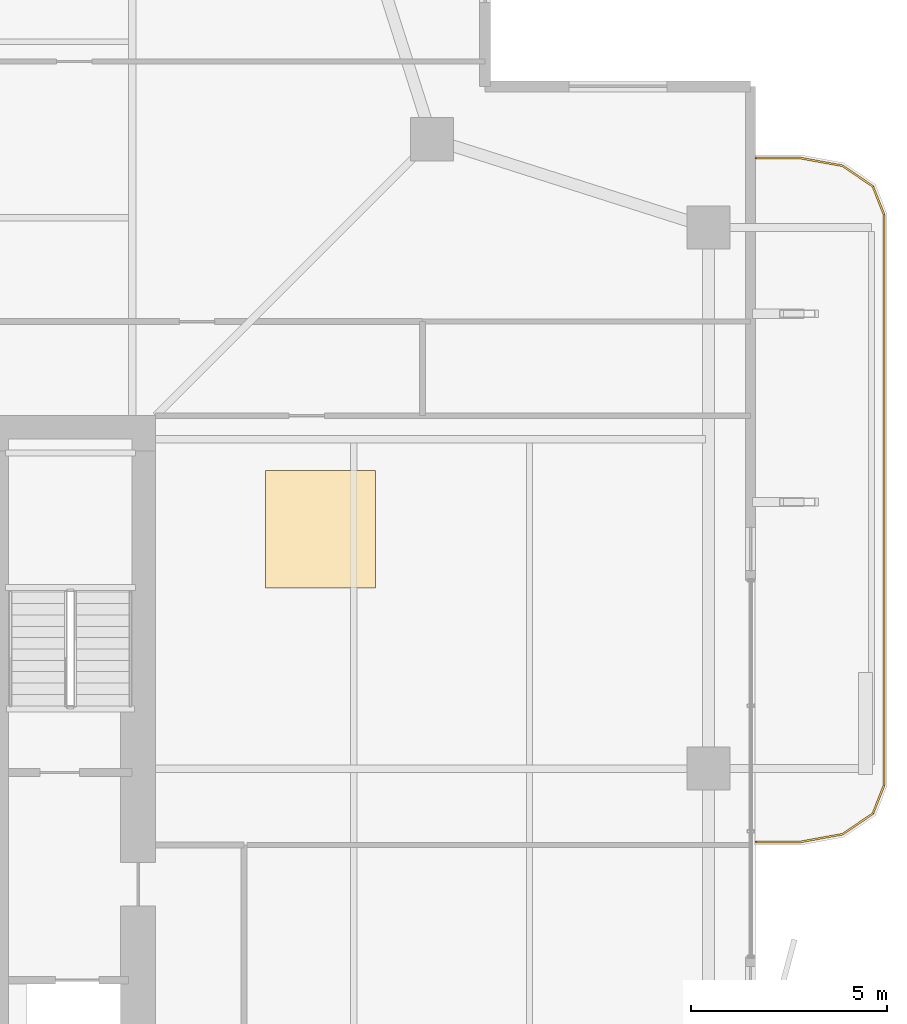
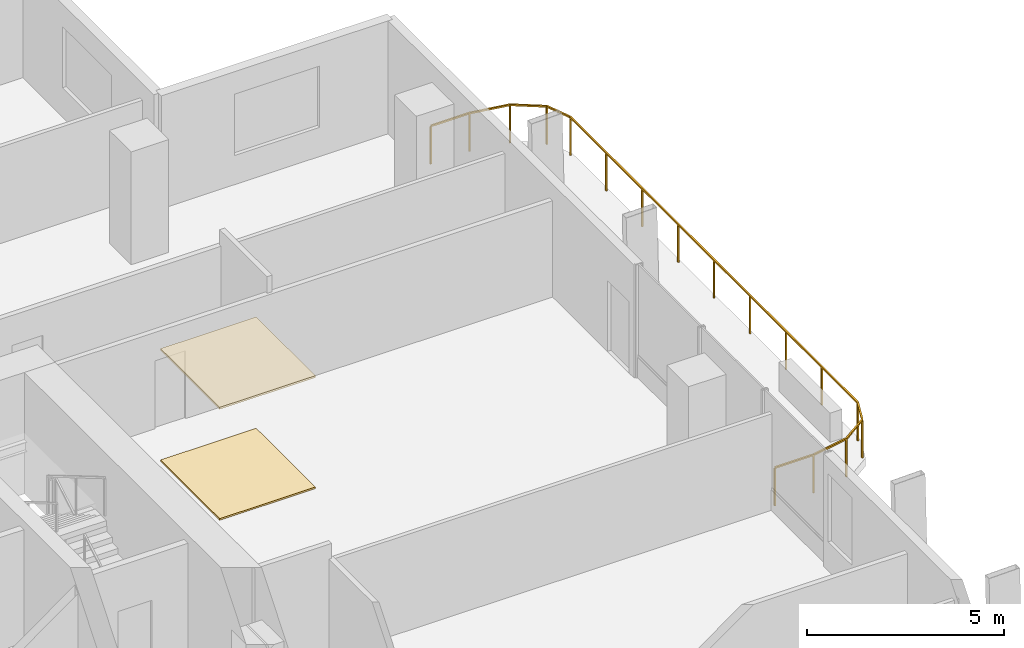
# One storey, part 25 of 25: 2 coverings, 1 railing.
"""IFC4 building model written with IfcOpenShell, lengths in metres."""

from ifc_helpers import new_model, si_unit, direction, frame, origin, origin_2d, place, context, subcontext, project, spatial, polyline, rectangle, outline, extrude, material, layer, layer_set, type_object, element, save


model = new_model("IFC4")

# Units and contexts
model_context = context("Model", 3, precision=1e-05, world=origin(), true_north=direction((0.0, 1.0)))
body_context = subcontext(model_context, "Body", "Model", "MODEL_VIEW")
ifc_project = project(units=[si_unit("LENGTHUNIT", "METRE"), si_unit("AREAUNIT", "SQUARE_METRE"), si_unit("VOLUMEUNIT", "CUBIC_METRE"), si_unit("PLANEANGLEUNIT", "RADIAN"), si_unit("MASSUNIT", "GRAM", prefix="KILO")], contexts=[model_context])

# Site, building, storey
site_placement = place(None, origin())
site = spatial("IfcSite", under=ifc_project, at=site_placement, CompositionType="ELEMENT")
building_placement = place(site_placement, origin())
building = spatial("IfcBuilding", under=site, at=building_placement, Name="Belovzor Exchange Tower", CompositionType="ELEMENT")
storey_placement = place(building_placement, frame((0.0, 0.0, 164.550048828125)))
storey = spatial("IfcBuildingStorey", under=building, at=storey_placement, Name="L40", CompositionType="ELEMENT", Elevation=164.550048828125)

# Railing
ifc_material_1 = material(Name="Stainless Steel and Laminated Safety Glass", Category="steel")
railing_type = type_object("IfcRailingType", Name="Laminated Glass & Stainless Steel Balcony Balustrade 1200", PredefinedType="BALUSTRADE", material=ifc_material_1)
railing_placement = place(storey_placement, frame((53.110107421875, 26.929931640625, 0.0)))
element("IfcRailing", 1, at=railing_placement, inside=storey, type_object=railing_type, Name="GR-1 Balcony Balustrade L40 East", PredefinedType="BALUSTRADE", context=body_context, shape_type="SweptSolid", body=[
    extrude(rectangle(XDim=0.048095703125, YDim=0.048095703125, at=origin_2d()), frame((0.0, 0.0, 1.17578125), z_axis=(1.0, 0.0, 0.0), x_axis=(0.0, 1.0, 0.0)), (0.0, 0.0, 1.0), 1.1328125),
    extrude(rectangle(XDim=0.048095703125, YDim=0.048095703125, at=origin_2d()), frame((1.1328125, 0.0, 1.17578125), z_axis=(0.983651385113, 0.180083182347, 0.0), x_axis=(-0.180083182347, 0.983651385113, 0.0)), (0.0, 0.0, 1.0), 1.093994140625),
    extrude(rectangle(XDim=0.048095703125, YDim=0.048095703125, at=origin_2d()), frame((2.208984375, 0.197021484375, 1.17578125), z_axis=(0.826493025367, 0.56294695933, 0.0), x_axis=(-0.56294695933, 0.826493025367, 0.0)), (0.0, 0.0, 1.0), 0.932861328125),
    extrude(rectangle(XDim=0.048095703125, YDim=0.048095703125, at=origin_2d()), frame((2.97998046875, 0.72216796875, 1.17578125), z_axis=(0.365612923861, 0.930766990125, 0.0), x_axis=(-0.930766990125, 0.365612923861, 0.0)), (0.0, 0.0, 1.0), 0.765869140625),
    extrude(rectangle(XDim=0.048095703125, YDim=0.048095703125, at=origin_2d()), frame((3.260009765625, 1.43505859375, 1.17578125), z_axis=(0.0, 1.0, 0.0), x_axis=(-1.0, 0.0, 0.0)), (0.0, 0.0, 1.0), 14.570068359375),
    extrude(rectangle(XDim=0.048095703125, YDim=0.048095703125, at=origin_2d()), frame((3.260009765625, 16.005126953125, 1.17578125), z_axis=(-0.365612923861, 0.930766990125, 0.0), x_axis=(-0.930766990125, -0.365612923861, 0.0)), (0.0, 0.0, 1.0), 0.765869140625),
    extrude(rectangle(XDim=0.048095703125, YDim=0.048095703125, at=origin_2d()), frame((2.97998046875, 16.718017578125, 1.17578125), z_axis=(-0.826493025367, 0.56294695933, 0.0), x_axis=(-0.56294695933, -0.826493025367, 0.0)), (0.0, 0.0, 1.0), 0.932861328125),
    extrude(rectangle(XDim=0.048095703125, YDim=0.048095703125, at=origin_2d()), frame((2.208984375, 17.2431640625, 1.17578125), z_axis=(-0.983651385113, 0.180083182347, 0.0), x_axis=(-0.180083182347, -0.983651385113, 0.0)), (0.0, 0.0, 1.0), 1.093994140625),
    extrude(rectangle(XDim=0.048095703125, YDim=0.048095703125, at=origin_2d()), frame((1.1328125, 17.440185546875, 1.17578125), z_axis=(-1.0, 0.0, 0.0), x_axis=(0.0, -1.0, 0.0)), (0.0, 0.0, 1.0), 1.1328125),
    extrude(rectangle(XDim=0.0419921875, YDim=0.0419921875, at=origin_2d()), origin(), (0.0, 0.0, 1.0), 1.15185546875),
    extrude(rectangle(XDim=0.0419921875, YDim=0.0419921875, at=origin_2d()), frame((1.1328125, 0.0, 0.0)), (0.0, 0.0, 1.0), 1.15185546875),
    extrude(rectangle(XDim=0.0419921875, YDim=0.0419921875, at=origin_2d()), frame((2.208984375, 0.197021484375, 0.0)), (0.0, 0.0, 1.0), 1.15185546875),
    extrude(rectangle(XDim=0.0419921875, YDim=0.0419921875, at=origin_2d()), frame((2.97998046875, 0.72216796875, 0.0)), (0.0, 0.0, 1.0), 1.15185546875),
    extrude(rectangle(XDim=0.0419921875, YDim=0.0419921875, at=origin_2d()), frame((3.260009765625, 1.43505859375, 0.0)), (0.0, 0.0, 1.0), 1.15185546875),
    extrude(rectangle(XDim=0.0419921875, YDim=0.0419921875, at=origin_2d()), frame((3.260009765625, 3.25634765625, 0.0)), (0.0, 0.0, 1.0), 1.15185546875),
    extrude(rectangle(XDim=0.0419921875, YDim=0.0419921875, at=origin_2d()), frame((3.260009765625, 5.07763671875, 0.0)), (0.0, 0.0, 1.0), 1.15185546875),
    extrude(rectangle(XDim=0.0419921875, YDim=0.0419921875, at=origin_2d()), frame((3.260009765625, 6.89892578125, 0.0)), (0.0, 0.0, 1.0), 1.15185546875),
    extrude(rectangle(XDim=0.0419921875, YDim=0.0419921875, at=origin_2d()), frame((3.260009765625, 8.72021484375, 0.0)), (0.0, 0.0, 1.0), 1.15185546875),
    extrude(rectangle(XDim=0.0419921875, YDim=0.0419921875, at=origin_2d()), frame((3.260009765625, 10.541259765625, 0.0)), (0.0, 0.0, 1.0), 1.15185546875),
    extrude(rectangle(XDim=0.0419921875, YDim=0.0419921875, at=origin_2d()), frame((3.260009765625, 12.362548828125, 0.0)), (0.0, 0.0, 1.0), 1.15185546875),
    extrude(rectangle(XDim=0.0419921875, YDim=0.0419921875, at=origin_2d()), frame((3.260009765625, 14.183837890625, 0.0)), (0.0, 0.0, 1.0), 1.15185546875),
    extrude(rectangle(XDim=0.0419921875, YDim=0.0419921875, at=origin_2d()), frame((3.260009765625, 16.005126953125, 0.0)), (0.0, 0.0, 1.0), 1.15185546875),
    extrude(rectangle(XDim=0.0419921875, YDim=0.0419921875, at=origin_2d()), frame((2.97998046875, 16.718017578125, 0.0)), (0.0, 0.0, 1.0), 1.15185546875),
    extrude(rectangle(XDim=0.0419921875, YDim=0.0419921875, at=origin_2d()), frame((2.208984375, 17.2431640625, 0.0)), (0.0, 0.0, 1.0), 1.15185546875),
    extrude(rectangle(XDim=0.0419921875, YDim=0.0419921875, at=origin_2d()), frame((1.1328125, 17.440185546875, 0.0)), (0.0, 0.0, 1.0), 1.15185546875),
    extrude(rectangle(XDim=0.0419921875, YDim=0.0419921875, at=origin_2d()), frame((0.0, 17.440185546875, 0.0)), (0.0, 0.0, 1.0), 1.15185546875),
])

# Coverings
ifc_material_2 = material(Name="Perforated Powder-Coated Aluminium", Category="aluminium")
ifc_layer_1 = layer(ifc_material_2, 0.06005859375)
ifc_layer_set_1 = layer_set([ifc_layer_1], Name="Perforated Powder-Coated Aluminium")
covering_type_1 = type_object("IfcCoveringType", Name="Perforated Acoustic Metal Tile Suspended Ceiling 60", PredefinedType="CEILING", material=ifc_layer_set_1)
covering_1_placement = place(storey_placement, frame((0.0, 0.0, 3.43505859375)))
element("IfcCovering", 2, at=covering_1_placement, inside=storey, type_object=covering_type_1, Name="CLG-AC60 Suspended Ceiling CLG-L40-Z2", PredefinedType="CEILING", context=body_context, shape_type="SweptSolid", body=[
    extrude(outline(polyline([(40.60009765625, 33.39990234375), (43.39990234375, 33.39990234375), (43.39990234375, 36.39990234375), (40.60009765625, 36.39990234375), (40.60009765625, 33.39990234375)])), origin(), (0.0, 0.0, 1.0), 0.059814453125),
])
ifc_material_3 = material(Name="Polished Natural Granite Tile", Category="masonry")
ifc_layer_2 = layer(ifc_material_3, 0.050048828125)
ifc_layer_set_2 = layer_set([ifc_layer_2], Name="Polished Natural Granite Tile")
covering_type_2 = type_object("IfcCoveringType", Name="Polished Karelian Granite & Raised Access Floor Finish 50", PredefinedType="FLOORING", material=ifc_layer_set_2)
covering_2_placement = place(storey_placement, origin())
element("IfcCovering", 3, at=covering_2_placement, inside=storey, type_object=covering_type_2, Name="FLR-GR50 Floor Finish FLR-L40-Z2", PredefinedType="FLOORING", context=body_context, shape_type="SweptSolid", body=[
    extrude(outline(polyline([(40.60009765625, 33.39990234375), (43.39990234375, 33.39990234375), (43.39990234375, 36.39990234375), (40.60009765625, 36.39990234375), (40.60009765625, 33.39990234375)])), origin(), (0.0, 0.0, 1.0), 0.050048828125),
])

save(model, "model.ifc")
